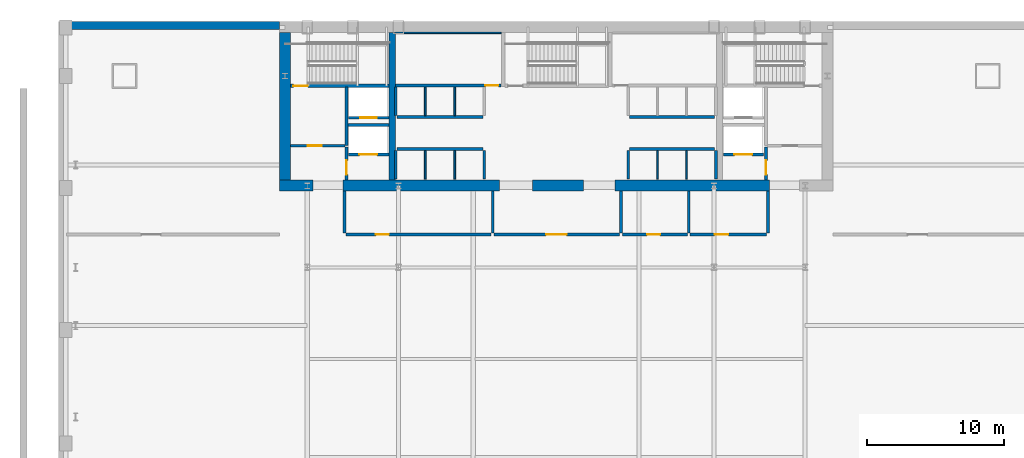
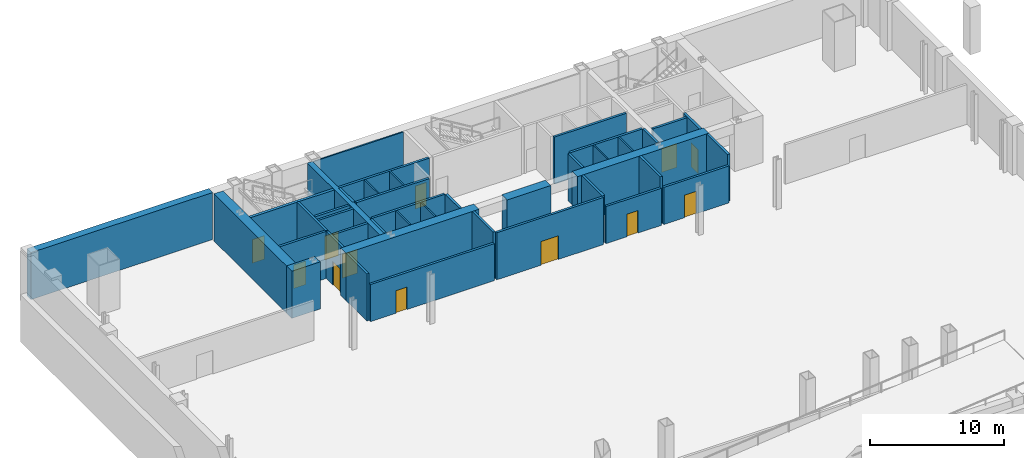
# One storey, part 7 of 10: 42 walls, 12 doors, 12 openings.
"""IFC4 building model written with IfcOpenShell, lengths in metres."""

import ifcopenshell
import ifcopenshell.guid

model = None  # the IFC model being written
_history = None  # IfcOwnerHistory: only IFC2X3 demands one
_inside = {}  # id of a spatial element -> (the spatial element, [elements in it])
_under = {}  # id of a project, library or spatial element -> (it, [spatial elements below it])
_declared = {}  # id of a project -> (the project, [libraries it declares])
_typed = {}  # id of a type object -> (the type object, [elements of that type])
_made_of = {}  # id of a material, layer set ... -> (it, [elements and type objects made of it])


def new_model(schema):
    """Start an empty IFC model of exactly this schema.

    Asked for "IFC4X3", IfcOpenShell would pick the latest addendum, in which some entities
    have other attributes; the version numbers below select the first issue.
    IFC2X3 requires an IfcOwnerHistory on every rooted entity: one is made here for all.
    """
    global model, _history
    if schema == "IFC4X3":
        model = ifcopenshell.file(schema_version=(4, 3, 0, 0))
    else:
        model = ifcopenshell.file(schema=schema)
    _inside.clear()
    _under.clear()
    _declared.clear()
    _typed.clear()
    _made_of.clear()
    _history = None
    if model.schema == "IFC2X3":
        org = make("IfcOrganization", Name="unknown")
        user = make(
            "IfcPersonAndOrganization",
            ThePerson=make("IfcPerson", FamilyName="unknown"),
            TheOrganization=org,
        )
        app = make(
            "IfcApplication",
            ApplicationDeveloper=org,
            Version="unknown",
            ApplicationFullName="unknown",
            ApplicationIdentifier="unknown",
        )
        _history = make(
            "IfcOwnerHistory",
            OwningUser=user,
            OwningApplication=app,
            ChangeAction="ADDED",
            CreationDate=0,
        )
    return model


def make(cls, **values):
    """One entity of the class cls with the attributes given. An attribute that is None is left unset."""
    return model.create_entity(
        cls, **{name: value for name, value in values.items() if value is not None}
    )


def rooted(cls, **values):
    """An entity with a GlobalId (a new one), such as an element, a storey or a relation."""
    return make(cls, GlobalId=ifcopenshell.guid.new(), OwnerHistory=_history, **values)


def si_unit(unit_type, name, prefix=None):
    """IfcSIUnit, for example si_unit("LENGTHUNIT", "METRE", prefix="MILLI")."""
    return make("IfcSIUnit", UnitType=unit_type, Prefix=prefix, Name=name)


def assignment(units):
    """IfcUnitAssignment: the units of a project."""
    return None if units is None else make("IfcUnitAssignment", Units=units)


def point(xyz):
    """IfcCartesianPoint."""
    return None if xyz is None else make("IfcCartesianPoint", Coordinates=xyz)


def direction(xyz):
    """IfcDirection."""
    return None if xyz is None else make("IfcDirection", DirectionRatios=xyz)


def frame(location, z_axis=None, x_axis=None):
    """IfcAxis2Placement3D, a coordinate frame: its origin and axes. An axis left out is left unset."""
    return make(
        "IfcAxis2Placement3D",
        Location=point(location),
        Axis=direction(z_axis),
        RefDirection=direction(x_axis),
    )


def frame_2d(location, x_axis=None):
    """IfcAxis2Placement2D, a coordinate frame in the plane: its origin and x axis."""
    return make(
        "IfcAxis2Placement2D", Location=point(location), RefDirection=direction(x_axis)
    )


def origin():
    """The frame at (0, 0, 0) with its axes left unset."""
    return frame((0.0, 0.0, 0.0))


def place(relative_to, where):
    """IfcLocalPlacement: puts the frame where relative to a parent placement (None: the world)."""
    return make(
        "IfcLocalPlacement", PlacementRelTo=relative_to, RelativePlacement=where
    )


def context(
    kind, dimensions, precision=None, world=None, true_north=None, identifier=None
):
    """IfcGeometricRepresentationContext, for example the 3D "Model" context."""
    return make(
        "IfcGeometricRepresentationContext",
        ContextIdentifier=identifier,
        ContextType=kind,
        CoordinateSpaceDimension=dimensions,
        Precision=precision,
        WorldCoordinateSystem=world,
        TrueNorth=true_north,
    )


def subcontext(parent, identifier, kind, view, scale=None):
    """IfcGeometricRepresentationSubContext, for example "Body" below "Model"."""
    return make(
        "IfcGeometricRepresentationSubContext",
        ContextIdentifier=identifier,
        ContextType=kind,
        ParentContext=parent,
        TargetScale=scale,
        TargetView=view,
    )


def project(units=None, contexts=None):
    """IfcProject with its units and contexts."""
    return rooted(
        "IfcProject",
        Name="project",
        RepresentationContexts=contexts,
        UnitsInContext=assignment(units),
    )


def spatial(cls, under=None, at=None, **own):
    """A site, building, storey or space (cls), placed at a placement, below another one or the project."""
    s = rooted(cls, ObjectPlacement=at, **own)
    if under is not None:
        _under.setdefault(under.id(), (under, []))[1].append(s)
    return s


def profile(cls, at=None, kind="AREA", **sizes):
    """A parametric profile (cls). Its sizes go by their IFC names, for example OverallWidth=200.0."""
    return make(cls, ProfileType=kind, Position=at, **sizes)


def rectangle(**sizes):
    """IfcRectangleProfileDef."""
    return profile("IfcRectangleProfileDef", **sizes)


def extrude(swept, where, along, depth):
    """IfcExtrudedAreaSolid: the profile swept, set in the frame where, extruded along a direction by depth."""
    return make(
        "IfcExtrudedAreaSolid",
        SweptArea=swept,
        Position=where,
        ExtrudedDirection=direction(along),
        Depth=depth,
    )


def shape(context_of_items, identifier, shape_type, items):
    """IfcShapeRepresentation: the items that make up one representation, for example the "Body"."""
    return make(
        "IfcShapeRepresentation",
        ContextOfItems=context_of_items,
        RepresentationIdentifier=identifier,
        RepresentationType=shape_type,
        Items=items,
    )


def material(Name=None, Category=None):
    """IfcMaterial."""
    return make("IfcMaterial", Name=Name, Category=Category)


def layer(
    of_material, thickness, ventilated=None, Name=None, Category=None, Priority=None
):
    """IfcMaterialLayer: one layer of a wall or slab, of a material (None: an air gap)."""
    return make(
        "IfcMaterialLayer",
        Material=of_material,
        LayerThickness=thickness,
        IsVentilated=ventilated,
        Name=Name,
        Category=Category,
        Priority=Priority,
    )


def layer_set(layers, Name=None):
    """IfcMaterialLayerSet."""
    return make("IfcMaterialLayerSet", MaterialLayers=layers, LayerSetName=Name)


def made_of(thing, what):
    """Note that an element or type object is made of a material, layer set ...; save() writes the relation."""
    if what is not None:
        _made_of.setdefault(what.id(), (what, []))[1].append(thing)
    return thing


def type_object(cls, material=None, **own):
    """A type object (cls), such as IfcWallType, which elements share."""
    return made_of(rooted(cls, **own), material)


def element(
    cls,
    number,
    at=None,
    inside=None,
    cuts=None,
    type_object=None,
    material=None,
    context=None,
    identifier="Body",
    shape_type=None,
    held_by="IfcProductDefinitionShape",
    body=None,
    shapes=None,
    **own,
):
    """One element of the class cls, such as IfcWall. Its Tag is "e" and its number.

    at: its placement. inside: the storey or other place that contains it. cuts: it is an
    opening in that element (IfcRelVoidsElement). A single representation is given by context,
    identifier, shape_type and body (its items); several are given by shapes. held_by: the class
    of the entity that holds the representations. save() writes the other relations.
    """
    e = rooted(cls, Tag="e%d" % number, ObjectPlacement=at, **own)
    if body is not None:
        shapes = [shape(context, identifier, shape_type, body)]
    if shapes is not None:
        e.Representation = make(held_by, Representations=shapes)
    if inside is not None:
        _inside.setdefault(inside.id(), (inside, []))[1].append(e)
    if cuts is not None:
        rooted(
            "IfcRelVoidsElement", RelatingBuildingElement=cuts, RelatedOpeningElement=e
        )
    if type_object is not None:
        _typed.setdefault(type_object.id(), (type_object, []))[1].append(e)
    return made_of(e, material)


def fill(opening, filler):
    """IfcRelFillsElement: the door or window that sits in an opening."""
    return rooted(
        "IfcRelFillsElement",
        RelatingOpeningElement=opening,
        RelatedBuildingElement=filler,
    )


def aggregate(whole, parts):
    """IfcRelAggregates: a whole, such as a stair, and the parts it consists of."""
    return rooted("IfcRelAggregates", RelatingObject=whole, RelatedObjects=parts)


def save(model, path):
    """Write the relations noted so far, then the file.

    IfcRelAggregates (storeys below a building ...), IfcRelContainedInSpatialStructure (elements
    in a storey), IfcRelDefinesByType, IfcRelAssociatesMaterial and IfcRelDeclares: one each for
    every whole, place, type object, material and project.
    """
    for whole, parts in _under.values():
        aggregate(whole, parts)
    for where, things in _inside.values():
        rooted(
            "IfcRelContainedInSpatialStructure",
            RelatedElements=things,
            RelatingStructure=where,
        )
    for kind, things in _typed.values():
        rooted("IfcRelDefinesByType", RelatedObjects=things, RelatingType=kind)
    for what, things in _made_of.values():
        rooted("IfcRelAssociatesMaterial", RelatedObjects=things, RelatingMaterial=what)
    for by, libraries in _declared.values():
        rooted("IfcRelDeclares", RelatingContext=by, RelatedDefinitions=libraries)
    model.write(path)


model = new_model("IFC4")

# Units and contexts
model_context = context("Model", 3, precision=1e-05, world=origin(), true_north=direction((0.0, 1.0)))
body_context = subcontext(model_context, "Body", "Model", "MODEL_VIEW")
ifc_project = project(units=[si_unit("LENGTHUNIT", "METRE"), si_unit("AREAUNIT", "SQUARE_METRE"), si_unit("VOLUMEUNIT", "CUBIC_METRE"), si_unit("PLANEANGLEUNIT", "RADIAN"), si_unit("MASSUNIT", "GRAM", prefix="KILO")], contexts=[model_context])

# Site, building, storey
site_placement = place(None, origin())
site = spatial("IfcSite", under=ifc_project, at=site_placement, CompositionType="ELEMENT")
building_placement = place(site_placement, origin())
building = spatial("IfcBuilding", under=site, at=building_placement, Name="Khoronbel Lancet Exchange", CompositionType="ELEMENT")
storey_placement = place(building_placement, frame((0.0, 0.0, -4.5)))
storey = spatial("IfcBuildingStorey", under=building, at=storey_placement, Name="B1", CompositionType="ELEMENT", Elevation=-4.5)

# Walls
ifc_material_1 = material(Name="Concrete C80/95", Category="concrete")
ifc_layer_1 = layer(ifc_material_1, 0.800048828125, Name="Concrete C80/95")
ifc_layer_set_1 = layer_set([ifc_layer_1], Name="Concrete C80/95")
wall_type_1 = type_object("IfcWallType", Name="WL-CW1", PredefinedType="SHEAR", material=ifc_layer_set_1)
wall_1_placement = place(storey_placement, frame((16.60009765625, 42.10009765625, 0.0), z_axis=(0.0, 0.0, 1.0), x_axis=(0.0, 1.0, 0.0)))
element("IfcWall", 1, at=wall_1_placement, inside=storey, type_object=wall_type_1, Name="Level B1 rear core west shear wall", PredefinedType="SHEAR", context=body_context, shape_type="SweptSolid", body=[
    extrude(rectangle(XDim=10.7998046875, YDim=0.800048828125, at=frame_2d((5.39990234375, 0.0))), origin(), (0.0, 0.0, 1.0), 4.280029296875),
])
wall_2_placement = place(storey_placement, frame((18.64990234375, 41.699951171875, 0.0), z_axis=(0.0, 0.0, 1.0), x_axis=(-1.0, 0.0, 0.0)))
element("IfcWall", 2, at=wall_2_placement, inside=storey, type_object=wall_type_1, Name="Level B1 rear core south shear wall pier P1", PredefinedType="SHEAR", context=body_context, shape_type="SweptSolid", body=[
    extrude(rectangle(XDim=2.449951171875, YDim=0.800048828125, at=frame_2d((1.22509765625, 0.0))), origin(), (0.0, 0.0, 1.0), 4.280029296875),
])
wall_3_placement = place(storey_placement, frame((32.300048828125, 41.699951171875, 0.0), z_axis=(0.0, 0.0, 1.0), x_axis=(-1.0, 0.0, 0.0)))
element("IfcWall", 3, at=wall_3_placement, inside=storey, type_object=wall_type_1, Name="Level B1 rear core south shear wall pier P2", PredefinedType="SHEAR", context=body_context, shape_type="SweptSolid", body=[
    extrude(rectangle(XDim=11.449951171875, YDim=0.800048828125, at=frame_2d((5.72509765625, 0.0))), origin(), (0.0, 0.0, 1.0), 4.280029296875),
])
wall_4_placement = place(storey_placement, frame((38.449951171875, 41.699951171875, 0.0), z_axis=(0.0, 0.0, 1.0), x_axis=(-1.0, 0.0, 0.0)))
element("IfcWall", 4, at=wall_4_placement, inside=storey, type_object=wall_type_1, Name="Level B1 rear core south shear wall pier P3", PredefinedType="SHEAR", context=body_context, shape_type="SweptSolid", body=[
    extrude(rectangle(XDim=3.75, YDim=0.800048828125, at=frame_2d((1.875, 0.0))), origin(), (0.0, 0.0, 1.0), 4.280029296875),
])
wall_5_placement = place(storey_placement, frame((52.050048828125, 41.699951171875, 0.0), z_axis=(0.0, 0.0, 1.0), x_axis=(-1.0, 0.0, 0.0)))
element("IfcWall", 5, at=wall_5_placement, inside=storey, type_object=wall_type_1, Name="Level B1 rear core south shear wall pier P4", PredefinedType="SHEAR", context=body_context, shape_type="SweptSolid", body=[
    extrude(rectangle(XDim=11.300048828125, YDim=0.800048828125, at=frame_2d((5.64990234375, 0.0))), origin(), (0.0, 0.0, 1.0), 4.280029296875),
])
ifc_material_2 = material(Name="Fire-Rated Metal-Stud & Mineral-Wool Gypsum Partition 120 mm", Category="gypsum")
ifc_layer_2 = layer(ifc_material_2, 0.1201171875, Name="Fire-Rated Metal-Stud & Mineral-Wool Gypsum Partition 120 mm")
ifc_layer_set_2 = layer_set([ifc_layer_2], Name="Fire-Rated Metal-Stud & Mineral-Wool Gypsum Partition 120 mm")
wall_type_2 = type_object("IfcWallType", Name="WL-PRT120F", PredefinedType="PARTITIONING", material=ifc_layer_set_2)
for number, where, z_axis, x_axis, name in (
    (6, (26.860107421875, 46.804931640625, 0.0), (0.0, 0.0, 1.0), (0.0, 1.0, 0.0), "Level B1 interior partition CW-PL-D1"),
    (7, (29.02001953125, 46.804931640625, 0.0), (0.0, 0.0, 1.0), (0.0, 1.0, 0.0), "Level B1 interior partition CW-PL-D2"),
):
    element("IfcWall", number, at=place(storey_placement, frame(where, z_axis=z_axis, x_axis=x_axis)), inside=storey, type_object=wall_type_2, Name=name, PredefinedType="PARTITIONING", context=body_context, shape_type="SweptSolid", body=[
        extrude(rectangle(XDim=2.090087890625, YDim=0.1201171875, at=frame_2d((1.044921875, 0.0))), origin(), (0.0, 0.0, 1.0), 4.280029296875),
    ])
for number, where, z_axis, x_axis, name in (
    (8, (26.860107421875, 42.14990234375, 0.0), (0.0, 0.0, 1.0), (0.0, 1.0, 0.0), "Level B1 interior partition CW-PM-D1"),
    (9, (29.02001953125, 42.14990234375, 0.0), (0.0, 0.0, 1.0), (0.0, 1.0, 0.0), "Level B1 interior partition CW-PM-D2"),
    (10, (43.860107421875, 42.14990234375, 0.0), (0.0, 0.0, 1.0), (0.0, 1.0, 0.0), "Level B1 interior partition CW-PX-D1"),
    (11, (46.0, 42.14990234375, 0.0), (0.0, 0.0, 1.0), (0.0, 1.0, 0.0), "Level B1 interior partition CW-PX-D2"),
):
    element("IfcWall", number, at=place(storey_placement, frame(where, z_axis=z_axis, x_axis=x_axis)), inside=storey, type_object=wall_type_2, Name=name, PredefinedType="PARTITIONING", context=body_context, shape_type="SweptSolid", body=[
        extrude(rectangle(XDim=2.09521484375, YDim=0.1201171875, at=frame_2d((1.047607421875, 0.0))), origin(), (0.0, 0.0, 1.0), 4.280029296875),
    ])
wall_6_placement = place(storey_placement, frame((24.699951171875, 52.860107421875, 0.0), z_axis=(0.0, 0.0, 1.0), x_axis=(1.0, 0.0, 0.0)))
element("IfcWall", 12, at=wall_6_placement, inside=storey, type_object=wall_type_2, Name="Level B1 interior partition CW-SUP-NW-N", PredefinedType="PARTITIONING", context=body_context, shape_type="SweptSolid", body=[
    extrude(rectangle(XDim=7.719970703125, YDim=0.1201171875, at=frame_2d((3.85986328125, 0.0))), origin(), (0.0, 0.0, 1.0), 4.280029296875),
])

# Wall, opening, door
ifc_material_3 = material(Name="Autoclaved Aerated Concrete Blockwork 200 mm", Category="masonry")
ifc_layer_3 = layer(ifc_material_3, 0.199951171875, Name="Autoclaved Aerated Concrete Blockwork 200 mm")
ifc_layer_set_3 = layer_set([ifc_layer_3], Name="Autoclaved Aerated Concrete Blockwork 200 mm")
wall_type_3 = type_object("IfcWallType", Name="WL-PRT200", PredefinedType="PARTITIONING", material=ifc_layer_set_3)
wall_7_placement = place(storey_placement, frame((51.610107421875, 43.949951171875, 0.0), z_axis=(0.0, 0.0, 1.0), x_axis=(-1.0, 0.0, 0.0)))
wall_7 = element("IfcWall", 13, at=wall_7_placement, inside=storey, type_object=wall_type_3, Name="Level B1 elevator hoistway landing front wall SVLE", PredefinedType="PARTITIONING", context=body_context, shape_type="SweptSolid", body=[
    extrude(rectangle(XDim=2.920166015625, YDim=0.199951171875, at=frame_2d((1.4599609375, 0.0))), origin(), (0.0, 0.0, 1.0), 4.280029296875),
])
opening_1_placement = place(wall_7_placement, frame((0.81005859375, 0.0, 0.0)))
opening_1 = element("IfcOpeningElement", 14, at=opening_1_placement, cuts=wall_7, Name="Opening LD-SVL2", PredefinedType="OPENING", context=body_context, shape_type="SweptSolid", body=[
    extrude(rectangle(XDim=1.300048828125, YDim=2.179931640625, at=frame_2d((0.64990234375, 1.08984375))), frame((0.0, 0.10986328125, 0.0), z_axis=(0.0, -1.0, 0.0), x_axis=(1.0, 0.0, 0.0)), (0.0, 0.0, 1.0), 0.219970703125),
])
ifc_material_4 = material(Name="Heavy-Duty Bi-Parting Goods Lift Landing Door", Category="steel")
door_type_1 = type_object("IfcDoorType", Name="DR-LD-SVL", OperationType="NOTDEFINED", PredefinedType="DOOR", material=ifc_material_4)
door_1_placement = place(opening_1_placement, origin())
door_1 = element("IfcDoor", 15, at=door_1_placement, inside=storey, type_object=door_type_1, Name="Elevator landing sliding door LD-SVL2 B1", OperationType="SLIDING_TO_LEFT", OverallHeight=2.179931640625, OverallWidth=1.300048828125, PredefinedType="DOOR", context=body_context, shape_type="SweptSolid", body=[
    extrude(rectangle(XDim=1.300048828125, YDim=2.179931640625, at=frame_2d((0.64990234375, 1.08984375))), frame((0.0, 0.02490234375, 0.0), z_axis=(0.0, -1.0, 0.0), x_axis=(1.0, 0.0, 0.0)), (0.0, 0.0, 1.0), 0.050048828125),
])
fill(opening_1, door_1)

wall_8_placement = place(storey_placement, frame((24.2099609375, 43.949951171875, 0.0), z_axis=(0.0, 0.0, 1.0), x_axis=(-1.0, 0.0, 0.0)))
wall_8 = element("IfcWall", 16, at=wall_8_placement, inside=storey, type_object=wall_type_3, Name="Level B1 elevator hoistway landing front wall SVLW", PredefinedType="PARTITIONING", context=body_context, shape_type="SweptSolid", body=[
    extrude(rectangle(XDim=2.969970703125, YDim=0.199951171875, at=frame_2d((1.48486328125, 0.0))), origin(), (0.0, 0.0, 1.0), 4.280029296875),
])
opening_2_placement = place(wall_8_placement, frame((0.860107421875, 0.0, 0.0)))
opening_2 = element("IfcOpeningElement", 17, at=opening_2_placement, cuts=wall_8, Name="Opening LD-SVL1", PredefinedType="OPENING", context=body_context, shape_type="SweptSolid", body=[
    extrude(rectangle(XDim=1.300048828125, YDim=2.179931640625, at=frame_2d((0.64990234375, 1.08984375))), frame((0.0, 0.10986328125, 0.0), z_axis=(0.0, -1.0, 0.0), x_axis=(1.0, 0.0, 0.0)), (0.0, 0.0, 1.0), 0.219970703125),
])
door_2_placement = place(opening_2_placement, origin())
door_2 = element("IfcDoor", 18, at=door_2_placement, inside=storey, type_object=door_type_1, Name="Elevator landing sliding door LD-SVL1 B1", OperationType="SLIDING_TO_LEFT", OverallHeight=2.179931640625, OverallWidth=1.300048828125, PredefinedType="DOOR", context=body_context, shape_type="SweptSolid", body=[
    extrude(rectangle(XDim=1.300048828125, YDim=2.179931640625, at=frame_2d((0.64990234375, 1.08984375))), frame((0.0, 0.02490234375, 0.0), z_axis=(0.0, -1.0, 0.0), x_axis=(1.0, 0.0, 0.0)), (0.0, 0.0, 1.0), 0.050048828125),
])
fill(opening_2, door_2)

wall_9_placement = place(storey_placement, frame((24.2099609375, 46.64990234375, 0.0), z_axis=(0.0, 0.0, 1.0), x_axis=(-1.0, 0.0, 0.0)))
wall_9 = element("IfcWall", 19, at=wall_9_placement, inside=storey, type_object=wall_type_3, Name="Level B1 elevator hoistway landing front wall FFLW", PredefinedType="PARTITIONING", context=body_context, shape_type="SweptSolid", body=[
    extrude(rectangle(XDim=2.969970703125, YDim=0.199951171875, at=frame_2d((1.48486328125, 0.0))), origin(), (0.0, 0.0, 1.0), 4.280029296875),
])
opening_3_placement = place(wall_9_placement, frame((0.909912109375, 0.0, 0.0)))
opening_3 = element("IfcOpeningElement", 20, at=opening_3_placement, cuts=wall_9, Name="Opening LD-FFL1", PredefinedType="OPENING", context=body_context, shape_type="SweptSolid", body=[
    extrude(rectangle(XDim=1.199951171875, YDim=2.179931640625, at=frame_2d((0.60009765625, 1.08984375))), frame((0.0, 0.10986328125, 0.0), z_axis=(0.0, -1.0, 0.0), x_axis=(1.0, 0.0, 0.0)), (0.0, 0.0, 1.0), 0.219970703125),
])
ifc_material_5 = material(Name="Fire-Rated Stainless Bi-Parting Firefighting Lift Door", Category="steel")
door_type_2 = type_object("IfcDoorType", Name="DR-LD-FFL", OperationType="NOTDEFINED", PredefinedType="DOOR", material=ifc_material_5)
door_3_placement = place(opening_3_placement, origin())
door_3 = element("IfcDoor", 21, at=door_3_placement, inside=storey, type_object=door_type_2, Name="Elevator landing sliding door LD-FFL1 B1", OperationType="SLIDING_TO_LEFT", OverallHeight=2.179931640625, OverallWidth=1.199951171875, PredefinedType="DOOR", context=body_context, shape_type="SweptSolid", body=[
    extrude(rectangle(XDim=1.199951171875, YDim=2.179931640625, at=frame_2d((0.60009765625, 1.08984375))), frame((0.0, 0.02490234375, 0.0), z_axis=(0.0, -1.0, 0.0), x_axis=(1.0, 0.0, 0.0)), (0.0, 0.0, 1.0), 0.050048828125),
])
fill(opening_3, door_3)

# Wall
wall_10_placement = place(storey_placement, frame((21.10009765625, 44.60009765625, 0.0), z_axis=(0.0, 0.0, 1.0), x_axis=(0.0, 1.0, 0.0)))
element("IfcWall", 22, at=wall_10_placement, inside=storey, type_object=wall_type_3, Name="Level B1 interior partition CW-FFLW-E", PredefinedType="PARTITIONING", context=body_context, shape_type="SweptSolid", body=[
    extrude(rectangle(XDim=4.2998046875, YDim=0.199951171875, at=frame_2d((2.14990234375, 0.0))), origin(), (0.0, 0.0, 1.0), 4.280029296875),
])

# Wall, opening, door
wall_11_placement = place(storey_placement, frame((17.0, 44.60009765625, 0.0), z_axis=(0.0, 0.0, 1.0), x_axis=(1.0, 0.0, 0.0)))
wall_11 = element("IfcWall", 23, at=wall_11_placement, inside=storey, type_object=wall_type_3, Name="Level B1 interior partition CW-FFLW-S", PredefinedType="PARTITIONING", context=body_context, shape_type="SweptSolid", body=[
    extrude(rectangle(XDim=4.0, YDim=0.199951171875, at=frame_2d((2.0, 0.0))), origin(), (0.0, 0.0, 1.0), 4.280029296875),
])
opening_4_placement = place(wall_11_placement, frame((1.25, 0.0, 0.0)))
opening_4 = element("IfcOpeningElement", 24, at=opening_4_placement, cuts=wall_11, Name="Opening FD1", PredefinedType="OPENING", context=body_context, shape_type="SweptSolid", body=[
    extrude(rectangle(XDim=1.050048828125, YDim=2.14990234375, at=frame_2d((0.52490234375, 1.074951171875))), frame((0.0, 0.10986328125, 0.0), z_axis=(0.0, -1.0, 0.0), x_axis=(1.0, 0.0, 0.0)), (0.0, 0.0, 1.0), 0.219970703125),
])
ifc_material_6 = material(Name="Fire-Rated Painted Steel Door Assembly", Category="steel")
door_type_3 = type_object("IfcDoorType", Name="DR-FD1", OperationType="NOTDEFINED", PredefinedType="DOOR", material=ifc_material_6)
door_4_placement = place(opening_4_placement, origin())
door_4 = element("IfcDoor", 25, at=door_4_placement, inside=storey, type_object=door_type_3, Name="West firefighting lobby FD90S door B1-1", OperationType="SINGLE_SWING_LEFT", OverallHeight=2.14990234375, OverallWidth=1.050048828125, PredefinedType="DOOR", context=body_context, shape_type="SweptSolid", body=[
    extrude(rectangle(XDim=1.050048828125, YDim=2.14990234375, at=frame_2d((0.52490234375, 1.074951171875))), frame((0.0, 0.02490234375, 0.0), z_axis=(0.0, -1.0, 0.0), x_axis=(1.0, 0.0, 0.0)), (0.0, 0.0, 1.0), 0.050048828125),
])
fill(opening_4, door_4)

# Wall
wall_12_placement = place(storey_placement, frame((21.199951171875, 46.1201171875, 0.0), z_axis=(0.0, 0.0, 1.0), x_axis=(1.0, 0.0, 0.0)))
element("IfcWall", 26, at=wall_12_placement, inside=storey, type_object=wall_type_3, Name="Level B1 interior partition CW-FFL1-S", PredefinedType="PARTITIONING", context=body_context, shape_type="SweptSolid", body=[
    extrude(rectangle(XDim=3.02001953125, YDim=0.199951171875, at=frame_2d((1.510009765625, 0.0))), origin(), (0.0, 0.0, 1.0), 4.280029296875),
])

# Wall, opening, door
wall_13_placement = place(storey_placement, frame((21.10009765625, 42.10009765625, 0.0), z_axis=(0.0, 0.0, 1.0), x_axis=(0.0, 1.0, 0.0)))
wall_13 = element("IfcWall", 27, at=wall_13_placement, inside=storey, type_object=wall_type_3, Name="Level B1 interior partition CW-SVLW-W", PredefinedType="PARTITIONING", context=body_context, shape_type="SweptSolid", body=[
    extrude(rectangle(XDim=2.39501953125, YDim=0.199951171875, at=frame_2d((1.197509765625, 0.0))), origin(), (0.0, 0.0, 1.0), 4.280029296875),
])
opening_5_placement = place(wall_13_placement, frame((0.3798828125, 0.0, 0.0)))
opening_5 = element("IfcOpeningElement", 28, at=opening_5_placement, cuts=wall_13, Name="Opening FD1", PredefinedType="OPENING", context=body_context, shape_type="SweptSolid", body=[
    extrude(rectangle(XDim=1.050048828125, YDim=2.14990234375, at=frame_2d((0.52490234375, 1.074951171875))), frame((0.0, 0.10986328125, 0.0), z_axis=(0.0, -1.0, 0.0), x_axis=(1.0, 0.0, 0.0)), (0.0, 0.0, 1.0), 0.219970703125),
])
door_5_placement = place(opening_5_placement, origin())
door_5 = element("IfcDoor", 29, at=door_5_placement, inside=storey, type_object=door_type_3, Name="West service lift lobby door B1-1", OperationType="SINGLE_SWING_RIGHT", OverallHeight=2.14990234375, OverallWidth=1.050048828125, PredefinedType="DOOR", context=body_context, shape_type="SweptSolid", body=[
    extrude(rectangle(XDim=1.050048828125, YDim=2.14990234375, at=frame_2d((0.52490234375, 1.074951171875))), frame((0.0, 0.02490234375, 0.0), z_axis=(0.0, -1.0, 0.0), x_axis=(1.0, 0.0, 0.0)), (0.0, 0.0, 1.0), 0.050048828125),
])
fill(opening_5, door_5)

wall_14_placement = place(storey_placement, frame((51.800048828125, 42.10009765625, 0.0), z_axis=(0.0, 0.0, 1.0), x_axis=(0.0, 1.0, 0.0)))
wall_14 = element("IfcWall", 30, at=wall_14_placement, inside=storey, type_object=wall_type_3, Name="Level B1 interior partition CW-SVLE-E", PredefinedType="PARTITIONING", context=body_context, shape_type="SweptSolid", body=[
    extrude(rectangle(XDim=2.39501953125, YDim=0.199951171875, at=frame_2d((1.197509765625, 0.0))), origin(), (0.0, 0.0, 1.0), 4.280029296875),
])
opening_6_placement = place(wall_14_placement, frame((0.3798828125, 0.0, 0.0)))
opening_6 = element("IfcOpeningElement", 31, at=opening_6_placement, cuts=wall_14, Name="Opening FD1", PredefinedType="OPENING", context=body_context, shape_type="SweptSolid", body=[
    extrude(rectangle(XDim=1.050048828125, YDim=2.14990234375, at=frame_2d((0.52490234375, 1.074951171875))), frame((0.0, 0.10986328125, 0.0), z_axis=(0.0, -1.0, 0.0), x_axis=(1.0, 0.0, 0.0)), (0.0, 0.0, 1.0), 0.219970703125),
])
door_6_placement = place(opening_6_placement, origin())
door_6 = element("IfcDoor", 32, at=door_6_placement, inside=storey, type_object=door_type_3, Name="East service lift lobby door B1-1", OperationType="SINGLE_SWING_RIGHT", OverallHeight=2.14990234375, OverallWidth=1.050048828125, PredefinedType="DOOR", context=body_context, shape_type="SweptSolid", body=[
    extrude(rectangle(XDim=1.050048828125, YDim=2.14990234375, at=frame_2d((0.52490234375, 1.074951171875))), frame((0.0, 0.02490234375, 0.0), z_axis=(0.0, -1.0, 0.0), x_axis=(1.0, 0.0, 0.0)), (0.0, 0.0, 1.0), 0.050048828125),
])
fill(opening_6, door_6)

# Walls
wall_15_placement = place(storey_placement, frame((24.804931640625, 46.699951171875, 0.0), z_axis=(0.0, 0.0, 1.0), x_axis=(1.0, 0.0, 0.0)))
element("IfcWall", 33, at=wall_15_placement, inside=storey, type_object=wall_type_3, Name="Level B1 interior partition CW-PL-EXP", PredefinedType="PARTITIONING", context=body_context, shape_type="SweptSolid", body=[
    extrude(rectangle(XDim=6.27001953125, YDim=0.199951171875, at=frame_2d((3.135009765625, 0.0))), origin(), (0.0, 0.0, 1.0), 4.280029296875),
])
wall_16_placement = place(storey_placement, frame((24.699951171875, 46.804931640625, 0.0), z_axis=(0.0, 0.0, 1.0), x_axis=(0.0, 1.0, 0.0)))
element("IfcWall", 34, at=wall_16_placement, inside=storey, type_object=wall_type_3, Name="Level B1 interior partition CW-PL-W", PredefinedType="PARTITIONING", context=body_context, shape_type="SweptSolid", body=[
    extrude(rectangle(XDim=2.090087890625, YDim=0.199951171875, at=frame_2d((1.044921875, 0.0))), origin(), (0.0, 0.0, 1.0), 4.280029296875),
])
wall_17_placement = place(storey_placement, frame((24.804931640625, 44.35009765625, 0.0), z_axis=(0.0, 0.0, 1.0), x_axis=(1.0, 0.0, 0.0)))
element("IfcWall", 35, at=wall_17_placement, inside=storey, type_object=wall_type_3, Name="Level B1 interior partition CW-PM-EXP", PredefinedType="PARTITIONING", context=body_context, shape_type="SweptSolid", body=[
    extrude(rectangle(XDim=6.27001953125, YDim=0.199951171875, at=frame_2d((3.135009765625, 0.0))), origin(), (0.0, 0.0, 1.0), 4.280029296875),
])
for number, where, z_axis, x_axis, name in (
    (36, (24.699951171875, 42.14990234375, 0.0), (0.0, 0.0, 1.0), (0.0, 1.0, 0.0), "Level B1 interior partition CW-PM-W"),
    (37, (31.179931640625, 42.14990234375, 0.0), (0.0, 0.0, 1.0), (0.0, 1.0, 0.0), "Level B1 interior partition CW-PM-E"),
):
    element("IfcWall", number, at=place(storey_placement, frame(where, z_axis=z_axis, x_axis=x_axis)), inside=storey, type_object=wall_type_3, Name=name, PredefinedType="PARTITIONING", context=body_context, shape_type="SweptSolid", body=[
        extrude(rectangle(XDim=2.09521484375, YDim=0.199951171875, at=frame_2d((1.047607421875, 0.0))), origin(), (0.0, 0.0, 1.0), 4.280029296875),
    ])
for number, where, z_axis, x_axis, name in (
    (38, (41.824951171875, 46.699951171875, 0.0), (0.0, 0.0, 1.0), (1.0, 0.0, 0.0), "Level B1 interior partition CW-PH-EXP"),
    (39, (41.824951171875, 44.35009765625, 0.0), (0.0, 0.0, 1.0), (1.0, 0.0, 0.0), "Level B1 interior partition CW-PX-EXP"),
):
    element("IfcWall", number, at=place(storey_placement, frame(where, z_axis=z_axis, x_axis=x_axis)), inside=storey, type_object=wall_type_3, Name=name, PredefinedType="PARTITIONING", context=body_context, shape_type="SweptSolid", body=[
        extrude(rectangle(XDim=6.2099609375, YDim=0.199951171875, at=frame_2d((3.10498046875, 0.0))), origin(), (0.0, 0.0, 1.0), 4.280029296875),
    ])
for number, where, z_axis, x_axis, name in (
    (40, (41.719970703125, 42.14990234375, 0.0), (0.0, 0.0, 1.0), (0.0, 1.0, 0.0), "Level B1 interior partition CW-PX-W"),
    (41, (48.139892578125, 42.14990234375, 0.0), (0.0, 0.0, 1.0), (0.0, 1.0, 0.0), "Level B1 interior partition CW-PX-E"),
):
    element("IfcWall", number, at=place(storey_placement, frame(where, z_axis=z_axis, x_axis=x_axis)), inside=storey, type_object=wall_type_3, Name=name, PredefinedType="PARTITIONING", context=body_context, shape_type="SweptSolid", body=[
        extrude(rectangle(XDim=2.09521484375, YDim=0.199951171875, at=frame_2d((1.047607421875, 0.0))), origin(), (0.0, 0.0, 1.0), 4.280029296875),
    ])

# Wall, opening, door
wall_18_placement = place(storey_placement, frame((24.699951171875, 49.0, 0.0), z_axis=(0.0, 0.0, 1.0), x_axis=(1.0, 0.0, 0.0)))
wall_18 = element("IfcWall", 42, at=wall_18_placement, inside=storey, type_object=wall_type_3, Name="Level B1 interior partition CW-SUP-NW-S", PredefinedType="PARTITIONING", context=body_context, shape_type="SweptSolid", body=[
    extrude(rectangle(XDim=7.719970703125, YDim=0.199951171875, at=frame_2d((3.85986328125, 0.0))), origin(), (0.0, 0.0, 1.0), 4.280029296875),
])
opening_7_placement = place(wall_18_placement, frame((6.56005859375, 0.0, 0.0)))
opening_7 = element("IfcOpeningElement", 43, at=opening_7_placement, cuts=wall_18, Name="Opening FD3", PredefinedType="OPENING", context=body_context, shape_type="SweptSolid", body=[
    extrude(rectangle(XDim=0.949951171875, YDim=2.10009765625, at=frame_2d((0.47509765625, 1.050048828125))), frame((0.0, 0.10986328125, 0.0), z_axis=(0.0, -1.0, 0.0), x_axis=(1.0, 0.0, 0.0)), (0.0, 0.0, 1.0), 0.219970703125),
])
ifc_material_7 = material(Name="Fire-Rated Steel Plant & Riser Door Assembly", Category="steel")
door_type_4 = type_object("IfcDoorType", Name="DR-FD3", OperationType="NOTDEFINED", PredefinedType="DOOR", material=ifc_material_7)
door_7_placement = place(opening_7_placement, origin())
door_7 = element("IfcDoor", 44, at=door_7_placement, inside=storey, type_object=door_type_4, Name="Core NW support room door B1-1", OperationType="SINGLE_SWING_LEFT", OverallHeight=2.10009765625, OverallWidth=0.949951171875, PredefinedType="DOOR", context=body_context, shape_type="SweptSolid", body=[
    extrude(rectangle(XDim=0.949951171875, YDim=2.10009765625, at=frame_2d((0.47509765625, 1.050048828125))), frame((0.0, 0.02490234375, 0.0), z_axis=(0.0, -1.0, 0.0), x_axis=(1.0, 0.0, 0.0)), (0.0, 0.0, 1.0), 0.050048828125),
])
fill(opening_7, door_7)

wall_19_placement = place(storey_placement, frame((31.905029296875, 38.10009765625, 0.0), z_axis=(0.0, 0.0, 1.0), x_axis=(1.0, 0.0, 0.0)))
wall_19 = element("IfcWall", 45, at=wall_19_placement, inside=storey, type_object=wall_type_3, Name="Level B1 interior partition PW-B1-LOB", PredefinedType="PARTITIONING", context=body_context, shape_type="SweptSolid", body=[
    extrude(rectangle(XDim=9.18994140625, YDim=0.199951171875, at=frame_2d((4.594970703125, 0.0))), origin(), (0.0, 0.0, 1.0), 4.280029296875),
])
opening_8_placement = place(wall_19_placement, frame((3.800048828125, 0.0, 0.0)))
opening_8 = element("IfcOpeningElement", 46, at=opening_8_placement, cuts=wall_19, Name="Opening FD2", PredefinedType="OPENING", context=body_context, shape_type="SweptSolid", body=[
    extrude(rectangle(XDim=1.5, YDim=2.14990234375, at=frame_2d((0.75, 1.074951171875))), frame((0.0, 0.10986328125, 0.0), z_axis=(0.0, -1.0, 0.0), x_axis=(1.0, 0.0, 0.0)), (0.0, 0.0, 1.0), 0.219970703125),
])
door_type_5 = type_object("IfcDoorType", Name="DR-FD2", OperationType="NOTDEFINED", PredefinedType="DOOR", material=ifc_material_6)
door_8_placement = place(opening_8_placement, origin())
door_8 = element("IfcDoor", 47, at=door_8_placement, inside=storey, type_object=door_type_5, Name="Car-park central vestibule fire door B1-1", OperationType="DOUBLE_DOOR_SINGLE_SWING", OverallHeight=2.14990234375, OverallWidth=1.5, PredefinedType="DOOR", context=body_context, shape_type="SweptSolid", body=[
    extrude(rectangle(XDim=1.5, YDim=2.14990234375, at=frame_2d((0.75, 1.074951171875))), frame((0.0, 0.02490234375, 0.0), z_axis=(0.0, -1.0, 0.0), x_axis=(1.0, 0.0, 0.0)), (0.0, 0.0, 1.0), 0.050048828125),
])
fill(opening_8, door_8)

# Walls
for number, where, z_axis, x_axis, name in (
    (48, (31.800048828125, 38.205078125, 0.0), (0.0, 0.0, 1.0), (0.0, 1.0, 0.0), "Level B1 interior partition PW-B1-LOBW"),
    (49, (41.199951171875, 38.205078125, 0.0), (0.0, 0.0, 1.0), (0.0, 1.0, 0.0), "Level B1 interior partition PW-B1-LOBE"),
    (50, (20.949951171875, 38.205078125, 0.0), (0.0, 0.0, 1.0), (0.0, 1.0, 0.0), "Level B1 interior partition PW-B1-WC0"),
):
    element("IfcWall", number, at=place(storey_placement, frame(where, z_axis=z_axis, x_axis=x_axis)), inside=storey, type_object=wall_type_3, Name=name, PredefinedType="PARTITIONING", context=body_context, shape_type="SweptSolid", body=[
        extrude(rectangle(XDim=3.094970703125, YDim=0.199951171875, at=frame_2d((1.54736328125, 0.0))), origin(), (0.0, 0.0, 1.0), 4.280029296875),
    ])

# Wall, opening, door
wall_20_placement = place(storey_placement, frame((21.054931640625, 38.10009765625, 0.0), z_axis=(0.0, 0.0, 1.0), x_axis=(1.0, 0.0, 0.0)))
wall_20 = element("IfcWall", 51, at=wall_20_placement, inside=storey, type_object=wall_type_3, Name="Level B1 interior partition PW-B1-WC", PredefinedType="PARTITIONING", context=body_context, shape_type="SweptSolid", body=[
    extrude(rectangle(XDim=10.64013671875, YDim=0.199951171875, at=frame_2d((5.320068359375, 0.0))), origin(), (0.0, 0.0, 1.0), 3.3701171875),
])
opening_9_placement = place(wall_20_placement, frame((2.199951171875, 0.0, 0.0)))
opening_9 = element("IfcOpeningElement", 52, at=opening_9_placement, cuts=wall_20, Name="Opening D4", PredefinedType="OPENING", context=body_context, shape_type="SweptSolid", body=[
    extrude(rectangle(XDim=0.949951171875, YDim=2.050048828125, at=frame_2d((0.47509765625, 1.02490234375))), frame((0.0, 0.10986328125, 0.0), z_axis=(0.0, -1.0, 0.0), x_axis=(1.0, 0.0, 0.0)), (0.0, 0.0, 1.0), 0.219970703125),
])
ifc_material_8 = material(Name="Moisture-Resistant HPL Washroom Door", Category="wood")
door_type_6 = type_object("IfcDoorType", Name="DR-D4", OperationType="NOTDEFINED", PredefinedType="DOOR", material=ifc_material_8)
door_9_placement = place(opening_9_placement, origin())
door_9 = element("IfcDoor", 53, at=door_9_placement, inside=storey, type_object=door_type_6, Name="Car-park accessible WC door B1-1", OperationType="SINGLE_SWING_LEFT", OverallHeight=2.050048828125, OverallWidth=0.949951171875, PredefinedType="DOOR", context=body_context, shape_type="SweptSolid", body=[
    extrude(rectangle(XDim=0.949951171875, YDim=2.050048828125, at=frame_2d((0.47509765625, 1.02490234375))), frame((0.0, 0.02490234375, 0.0), z_axis=(0.0, -1.0, 0.0), x_axis=(1.0, 0.0, 0.0)), (0.0, 0.0, 1.0), 0.050048828125),
])
fill(opening_9, door_9)

# Walls
for number, where, z_axis, x_axis, name in (
    (54, (46.14990234375, 38.205078125, 0.0), (0.0, 0.0, 1.0), (0.0, 1.0, 0.0), "Level B1 interior partition PW-B1-CYCM"),
    (55, (51.949951171875, 38.205078125, 0.0), (0.0, 0.0, 1.0), (0.0, 1.0, 0.0), "Level B1 interior partition PW-B1-CYCE"),
):
    element("IfcWall", number, at=place(storey_placement, frame(where, z_axis=z_axis, x_axis=x_axis)), inside=storey, type_object=wall_type_3, Name=name, PredefinedType="PARTITIONING", context=body_context, shape_type="SweptSolid", body=[
        extrude(rectangle(XDim=3.094970703125, YDim=0.199951171875, at=frame_2d((1.54736328125, 0.0))), origin(), (0.0, 0.0, 1.0), 4.280029296875),
    ])

# Wall, opening, door
wall_21_placement = place(storey_placement, frame((41.304931640625, 38.10009765625, 0.0), z_axis=(0.0, 0.0, 1.0), x_axis=(1.0, 0.0, 0.0)))
wall_21 = element("IfcWall", 56, at=wall_21_placement, inside=storey, type_object=wall_type_3, Name="Level B1 interior partition PW-B1-SHW", PredefinedType="PARTITIONING", context=body_context, shape_type="SweptSolid", body=[
    extrude(rectangle(XDim=4.739990234375, YDim=0.199951171875, at=frame_2d((2.3701171875, 0.0))), origin(), (0.0, 0.0, 1.0), 3.3701171875),
])
opening_10_placement = place(wall_21_placement, frame((1.800048828125, 0.0, 0.0)))
opening_10 = element("IfcOpeningElement", 57, at=opening_10_placement, cuts=wall_21, Name="Opening D4", PredefinedType="OPENING", context=body_context, shape_type="SweptSolid", body=[
    extrude(rectangle(XDim=0.949951171875, YDim=2.050048828125, at=frame_2d((0.47509765625, 1.02490234375))), frame((0.0, 0.10986328125, 0.0), z_axis=(0.0, -1.0, 0.0), x_axis=(1.0, 0.0, 0.0)), (0.0, 0.0, 1.0), 0.219970703125),
])
door_10_placement = place(opening_10_placement, origin())
door_10 = element("IfcDoor", 58, at=door_10_placement, inside=storey, type_object=door_type_6, Name="Commuter shower room door B1-1", OperationType="SINGLE_SWING_RIGHT", OverallHeight=2.050048828125, OverallWidth=0.949951171875, PredefinedType="DOOR", context=body_context, shape_type="SweptSolid", body=[
    extrude(rectangle(XDim=0.949951171875, YDim=2.050048828125, at=frame_2d((0.47509765625, 1.02490234375))), frame((0.0, 0.02490234375, 0.0), z_axis=(0.0, -1.0, 0.0), x_axis=(1.0, 0.0, 0.0)), (0.0, 0.0, 1.0), 0.050048828125),
])
fill(opening_10, door_10)

wall_22_placement = place(storey_placement, frame((46.2548828125, 38.10009765625, 0.0), z_axis=(0.0, 0.0, 1.0), x_axis=(1.0, 0.0, 0.0)))
wall_22 = element("IfcWall", 59, at=wall_22_placement, inside=storey, type_object=wall_type_3, Name="Level B1 interior partition PW-B1-CYC", PredefinedType="PARTITIONING", context=body_context, shape_type="SweptSolid", body=[
    extrude(rectangle(XDim=5.590087890625, YDim=0.199951171875, at=frame_2d((2.794921875, 0.0))), origin(), (0.0, 0.0, 1.0), 3.3701171875),
])
opening_11_placement = place(wall_22_placement, frame((1.800048828125, 0.0, 0.0)))
opening_11 = element("IfcOpeningElement", 60, at=opening_11_placement, cuts=wall_22, Name="Opening D2", PredefinedType="OPENING", context=body_context, shape_type="SweptSolid", body=[
    extrude(rectangle(XDim=1.0, YDim=2.050048828125, at=frame_2d((0.5, 1.02490234375))), frame((0.0, 0.10986328125, 0.0), z_axis=(0.0, -1.0, 0.0), x_axis=(1.0, 0.0, 0.0)), (0.0, 0.0, 1.0), 0.219970703125),
])
ifc_material_9 = material(Name="Acoustic Veneered Timber & Bronze Frame Door", Category="wood")
door_type_7 = type_object("IfcDoorType", Name="DR-D2", OperationType="NOTDEFINED", PredefinedType="DOOR", material=ifc_material_9)
door_11_placement = place(opening_11_placement, origin())
door_11 = element("IfcDoor", 61, at=door_11_placement, inside=storey, type_object=door_type_7, Name="Secure cycle store door B1-1", OperationType="SINGLE_SWING_LEFT", OverallHeight=2.050048828125, OverallWidth=1.0, PredefinedType="DOOR", context=body_context, shape_type="SweptSolid", body=[
    extrude(rectangle(XDim=1.0, YDim=2.050048828125, at=frame_2d((0.5, 1.02490234375))), frame((0.0, 0.02490234375, 0.0), z_axis=(0.0, -1.0, 0.0), x_axis=(1.0, 0.0, 0.0)), (0.0, 0.0, 1.0), 0.050048828125),
])
fill(opening_11, door_11)

# Walls
ifc_material_10 = material(Name="Concrete C60/75", Category="concrete")
ifc_layer_4 = layer(ifc_material_10, 0.60009765625, Name="Concrete C60/75")
ifc_layer_set_4 = layer_set([ifc_layer_4], Name="Concrete C60/75")
wall_type_4 = type_object("IfcWallType", Name="WL-RET600", PredefinedType="SOLIDWALL", material=ifc_layer_set_4)
wall_23_placement = place(storey_placement, frame((0.60009765625, 53.39990234375, 0.0), z_axis=(0.0, 0.0, 1.0), x_axis=(1.0, 0.0, 0.0)))
element("IfcWall", 62, at=wall_23_placement, inside=storey, type_object=wall_type_4, Name="Basement B1 reinforced concrete retaining wall NW", PredefinedType="SOLIDWALL", context=body_context, shape_type="SweptSolid", body=[
    extrude(rectangle(XDim=15.599853515625, YDim=0.60009765625, at=frame_2d((7.7998046875, 0.0))), origin(), (0.0, 0.0, 1.0), 4.280029296875),
])
ifc_layer_5 = layer(ifc_material_1, 0.449951171875, Name="Concrete C80/95")
ifc_layer_set_5 = layer_set([ifc_layer_5], Name="Concrete C80/95")
wall_type_5 = type_object("IfcWallType", Name="WL-SW1", PredefinedType="SHEAR", material=ifc_layer_set_5)
wall_24_placement = place(storey_placement, frame((24.449951171875, 42.10009765625, 0.0), z_axis=(0.0, 0.0, 1.0), x_axis=(0.0, 1.0, 0.0)))
element("IfcWall", 63, at=wall_24_placement, inside=storey, type_object=wall_type_5, Name="Level B1 rear core internal spine shear wall IW", PredefinedType="SHEAR", context=body_context, shape_type="SweptSolid", body=[
    extrude(rectangle(XDim=10.7998046875, YDim=0.449951171875, at=frame_2d((5.39990234375, 0.0))), origin(), (0.0, 0.0, 1.0), 4.280029296875),
])

# Wall, opening, door
ifc_layer_6 = layer(ifc_material_10, 0.260009765625, Name="Concrete C60/75")
ifc_layer_set_6 = layer_set([ifc_layer_6], Name="Concrete C60/75")
wall_type_6 = type_object("IfcWallType", Name="WL-SW3", PredefinedType="SHEAR", material=ifc_layer_set_6)
wall_25_placement = place(storey_placement, frame((17.0, 48.97998046875, 0.0), z_axis=(0.0, 0.0, 1.0), x_axis=(1.0, 0.0, 0.0)))
wall_25 = element("IfcWall", 64, at=wall_25_placement, inside=storey, type_object=wall_type_6, Name="Level B1 west stairwell structural south wall", PredefinedType="SHEAR", context=body_context, shape_type="SweptSolid", body=[
    extrude(rectangle(XDim=7.219970703125, YDim=0.239990234375, at=frame_2d((3.60986328125, 0.0))), origin(), (0.0, 0.0, 1.0), 4.280029296875),
])
opening_12_placement = place(wall_25_placement, frame((0.219970703125, 0.0, 0.0)))
opening_12 = element("IfcOpeningElement", 65, at=opening_12_placement, cuts=wall_25, Name="Opening SD1", PredefinedType="OPENING", context=body_context, shape_type="SweptSolid", body=[
    extrude(rectangle(XDim=1.050048828125, YDim=2.14990234375, at=frame_2d((0.52490234375, 1.074951171875))), frame((0.0, 0.1298828125, 0.0), z_axis=(0.0, -1.0, 0.0), x_axis=(1.0, 0.0, 0.0)), (0.0, 0.0, 1.0), 0.260009765625),
])
ifc_material_11 = material(Name="Fire-Rated Steel Stairwell Door Assembly", Category="steel")
door_type_8 = type_object("IfcDoorType", Name="DR-SD1", OperationType="NOTDEFINED", PredefinedType="DOOR", material=ifc_material_11)
door_12_placement = place(opening_12_placement, origin())
door_12 = element("IfcDoor", 66, at=door_12_placement, inside=storey, type_object=door_type_8, Name="Protected exit stair ST1 door B1", OperationType="SINGLE_SWING_LEFT", OverallHeight=2.14990234375, OverallWidth=1.050048828125, PredefinedType="DOOR", context=body_context, shape_type="SweptSolid", body=[
    extrude(rectangle(XDim=1.050048828125, YDim=2.14990234375, at=frame_2d((0.52490234375, 1.074951171875))), frame((0.0, 0.02490234375, 0.0), z_axis=(0.0, -1.0, 0.0), x_axis=(1.0, 0.0, 0.0)), (0.0, 0.0, 1.0), 0.050048828125),
])
fill(opening_12, door_12)

save(model, "model.ifc")
